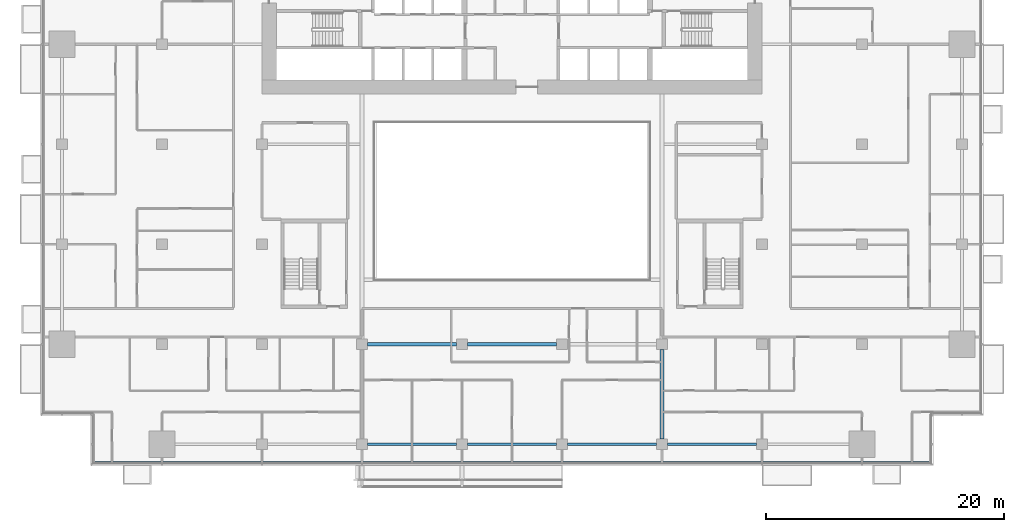
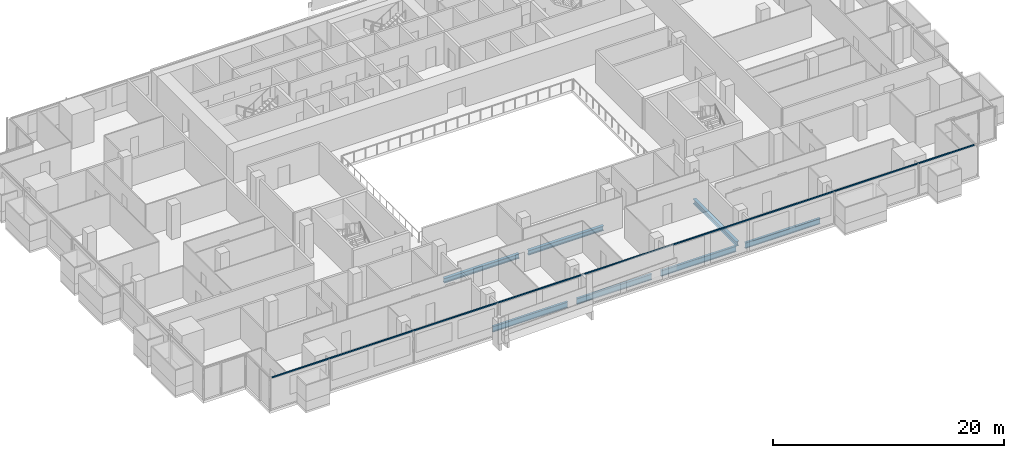
# One storey, part 5 of 27: 7 beams, 1 member, 1 element without a shape of its own.
"""IFC4 building model written with IfcOpenShell, lengths in metres."""

from ifc_helpers import new_model, si_unit, direction, frame, origin, origin_2d, place, context, subcontext, project, spatial, rectangle, i_section, extrude, material, material_profile, profile_set, type_object, element, aggregate, save


model = new_model("IFC4")

# Units and contexts
model_context = context("Model", 3, precision=1e-05, world=origin(), true_north=direction((0.0, 1.0)))
body_context = subcontext(model_context, "Body", "Model", "MODEL_VIEW")
ifc_project = project(units=[si_unit("LENGTHUNIT", "METRE"), si_unit("AREAUNIT", "SQUARE_METRE"), si_unit("VOLUMEUNIT", "CUBIC_METRE"), si_unit("PLANEANGLEUNIT", "RADIAN"), si_unit("MASSUNIT", "GRAM", prefix="KILO")], contexts=[model_context])

# Site, building, storey
site_placement = place(None, origin())
site = spatial("IfcSite", under=ifc_project, at=site_placement, CompositionType="ELEMENT")
building_placement = place(site_placement, origin())
building = spatial("IfcBuilding", under=site, at=building_placement, Name="Saffron Gate Tower", CompositionType="ELEMENT")
storey_placement = place(building_placement, frame((0.0, 0.0, 40.800048828125)))
storey = spatial("IfcBuildingStorey", under=building, at=storey_placement, Name="L08", CompositionType="ELEMENT", Elevation=40.800048828125)

# Beams
ifc_material_1 = material(Name="Structural steel S355", Category="steel")
ifc_material_profile_1 = material_profile(ifc_material_1, i_section(OverallWidth=0.219970703125, OverallDepth=0.60009765625, WebThickness=0.011962890625, FlangeThickness=0.01904296875, FilletRadius=0.02392578125, at=origin_2d()))
ifc_profile_set_1 = profile_set([ifc_material_profile_1], Name="Structural steel S355")
beam_type_1 = type_object("IfcBeamType", Name="B16 IPE 600", PredefinedType="SPANDREL", material=ifc_profile_set_1)
for number, where, z_axis, x_axis, name in (
    (1, (75.449951171875, 31.800048828125, -0.580078125), (1.0, 0.0, 0.0), (0.0, 1.0, 0.0), "B16 SPANDREL BEAM"),
    (2, (83.85009765625, 31.800048828125, -0.580078125), (1.0, 0.0, 0.0), (0.0, 1.0, 0.0), "B16 SPANDREL BEAM"),
    (3, (92.25, 31.800048828125, -0.580078125), (1.0, 0.0, 0.0), (0.0, 1.0, 0.0), "B16 SPANDREL BEAM"),
    (4, (100.64990234375, 31.800048828125, -0.580078125), (1.0, 0.0, 0.0), (0.0, 1.0, 0.0), "B16 SPANDREL BEAM"),
):
    element("IfcBeam", number, at=place(storey_placement, frame(where, z_axis=z_axis, x_axis=x_axis)), inside=storey, type_object=beam_type_1, Name=name, PredefinedType="SPANDREL", context=body_context, shape_type="SweptSolid", body=[
        extrude(i_section(OverallWidth=0.219970703125, OverallDepth=0.60009765625, WebThickness=0.011962890625, FlangeThickness=0.01904296875, FilletRadius=0.02392578125, at=origin_2d()), origin(), (0.0, 0.0, 1.0), 7.5),
    ])
ifc_material_profile_2 = material_profile(ifc_material_1, i_section(OverallWidth=0.300048828125, OverallDepth=0.489990234375, WebThickness=0.011962890625, FlangeThickness=0.02294921875, FilletRadius=0.027099609375, at=origin_2d()))
ifc_profile_set_2 = profile_set([ifc_material_profile_2], Name="Structural steel S355")
beam_type_2 = type_object("IfcBeamType", Name="B8 HEA 500", PredefinedType="BEAM", material=ifc_profile_set_2)
for number, where, z_axis, x_axis, name in (
    (5, (100.199951171875, 32.25, -0.525146484375), (0.0, 1.0, 0.0), (-1.0, 0.0, 0.0), "B8 FLOOR GIRDER"),
    (6, (75.449951171875, 40.199951171875, -0.525146484375), (1.0, 0.0, 0.0), (0.0, 1.0, 0.0), "B8 FLOOR GIRDER"),
    (7, (83.85009765625, 40.199951171875, -0.525146484375), (1.0, 0.0, 0.0), (0.0, 1.0, 0.0), "B8 FLOOR GIRDER"),
):
    element("IfcBeam", number, at=place(storey_placement, frame(where, z_axis=z_axis, x_axis=x_axis)), inside=storey, type_object=beam_type_2, Name=name, PredefinedType="BEAM", context=body_context, shape_type="SweptSolid", body=[
        extrude(i_section(OverallWidth=0.300048828125, OverallDepth=0.489990234375, WebThickness=0.011962890625, FlangeThickness=0.02294921875, FilletRadius=0.027099609375, at=origin_2d()), origin(), (0.0, 0.0, 1.0), 7.5),
    ])

# Curtain wall, member
ifc_material_2 = material(Name="Aluminium, bronze anodised", Category="aluminium")
curtain_wall_type = type_object("IfcCurtainWallType", Name="CWS1 curtain wall front facade", PredefinedType="NOTDEFINED", material=ifc_material_2)
curtain_wall_placement = place(storey_placement, origin())
curtain_wall = element("IfcCurtainWall", 8, at=curtain_wall_placement, inside=storey, type_object=curtain_wall_type, Name="CWS1 run 1", PredefinedType="NOTDEFINED")
ifc_material_profile_3 = material_profile(ifc_material_2, rectangle(XDim=0.1201171875, YDim=0.1201171875, at=origin_2d()))
ifc_profile_set_3 = profile_set([ifc_material_profile_3], Name="Aluminium, bronze anodised")
member_type = type_object("IfcMemberType", Name="CWS1 head transom", PredefinedType="USERDEFINED", material=ifc_profile_set_3)
member_placement = place(storey_placement, frame((52.568115234375, 30.248046875, 3.260009765625), z_axis=(1.0, 0.0, 0.0), x_axis=(0.0, 1.0, 0.0)))
member = element("IfcMember", 9, at=member_placement, type_object=member_type, Name="CWS1 head transom", ObjectType="TRANSOM", PredefinedType="USERDEFINED", context=body_context, shape_type="SweptSolid", body=[
    extrude(rectangle(XDim=0.1201171875, YDim=0.1201171875, at=origin_2d()), origin(), (0.0, 0.0, 1.0), 70.06396484375),
])
aggregate(curtain_wall, [member])

save(model, "model.ifc")
